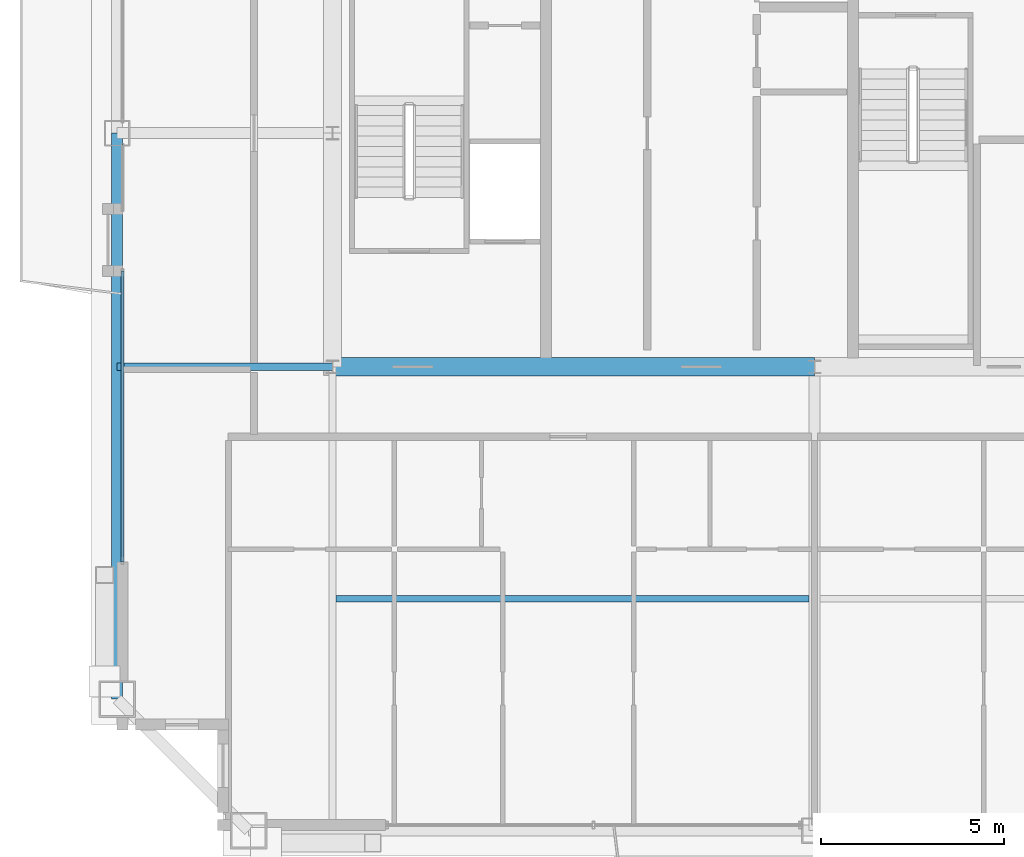
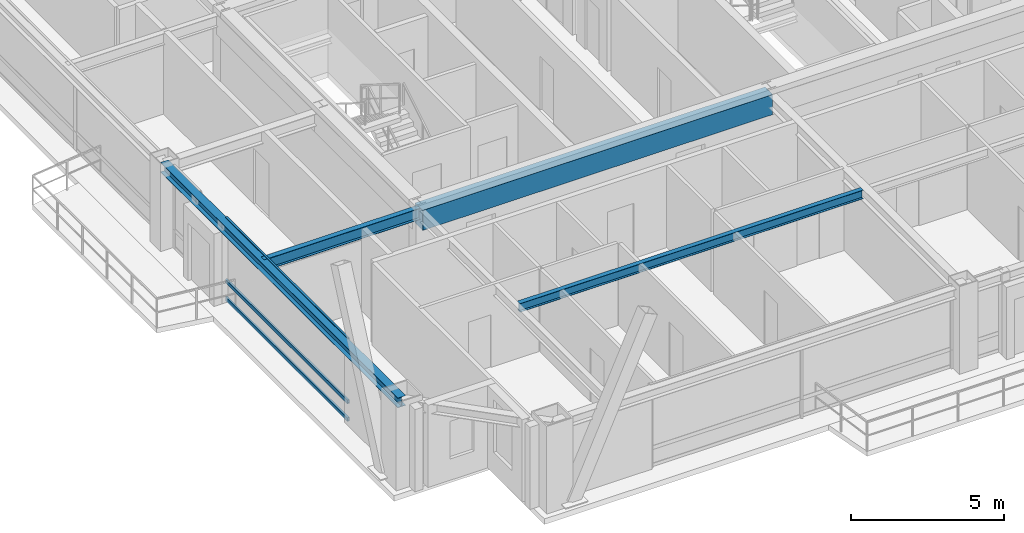
# One storey, part 6 of 33: 4 beams, 3 members, 1 element without a shape of its own.
"""IFC4 building model written with IfcOpenShell, lengths in metres."""

from ifc_helpers import new_model, si_unit, direction, frame, origin, origin_2d, place, context, subcontext, project, spatial, rectangle, hollow_rectangle, i_section, extrude, source, transform, mapped, material, layer, layer_set, material_profile, profile_set, type_object, element, aggregate, save


model = new_model("IFC4")

# Units and contexts
model_context = context("Model", 3, precision=1e-05, world=origin(), true_north=direction((0.0, 1.0)))
body_context = subcontext(model_context, "Body", "Model", "MODEL_VIEW")
ifc_project = project(units=[si_unit("LENGTHUNIT", "METRE"), si_unit("AREAUNIT", "SQUARE_METRE"), si_unit("VOLUMEUNIT", "CUBIC_METRE"), si_unit("PLANEANGLEUNIT", "RADIAN"), si_unit("MASSUNIT", "GRAM", prefix="KILO"), si_unit("THERMODYNAMICTEMPERATUREUNIT", "KELVIN"), si_unit("POWERUNIT", "WATT")], contexts=[model_context])

# Site, building, storey
site_placement = place(None, origin())
site = spatial("IfcSite", under=ifc_project, at=site_placement, CompositionType="ELEMENT")
building_placement = place(site_placement, origin())
building = spatial("IfcBuilding", under=site, at=building_placement, Name="Yuzanri Waterfront Tower", CompositionType="ELEMENT")
storey_placement = place(building_placement, frame((0.0, 0.0, 321.699951171875)))
storey = spatial("IfcBuildingStorey", under=building, at=storey_placement, Name="L86", CompositionType="ELEMENT", Elevation=321.699951171875)

# Beams
ifc_material_1 = material(Name="Concrete C50", Category="concrete")
ifc_material_profile_1 = material_profile(ifc_material_1, rectangle(XDim=0.5, YDim=0.800048828125, at=origin_2d()), Name="RC 500x800")
ifc_profile_set_1 = profile_set([ifc_material_profile_1], Name="Concrete C50")
beam_type_1 = type_object("IfcBeamType", Name="Core Coupling Lintel Concrete C50 500x800", PredefinedType="LINTEL", material=ifc_profile_set_1)
shared_shape_1 = source(origin(), body_context, "Body", "SweptSolid", [
    extrude(rectangle(XDim=0.5, YDim=0.800048828125, at=origin_2d()), origin(), (0.0, 0.0, 1.0), 13.199951171875),
])
beam_1_placement = place(storey_placement, frame((23.800048828125, 19.39990234375, 2.880126953125), z_axis=(1.0, 0.0, 0.0), x_axis=(0.0, 1.0, 0.0)))
element("IfcBeam", 1, at=beam_1_placement, inside=storey, type_object=beam_type_1, Name="L86 Core Tie Beam CS1", PredefinedType="LINTEL", context=body_context, shape_type="MappedRepresentation", body=[
    mapped(shared_shape_1, transform((0.0, 0.0, 0.0), scale=1.0)),
])
ifc_material_2 = material(Name="Steel Q355B", Category="steel")
ifc_material_profile_2 = material_profile(ifc_material_2, i_section(OverallWidth=0.175048828125, OverallDepth=0.35009765625, WebThickness=0.007080078125, FlangeThickness=0.010986328125, at=origin_2d()), Name="HN 350x175x7x11")
ifc_profile_set_2 = profile_set([ifc_material_profile_2], Name="Steel Q355B")
beam_type_2 = type_object("IfcBeamType", Name="Floor Joist Q355B HN 350x175", PredefinedType="JOIST", material=ifc_profile_set_2)
shared_shape_2 = source(origin(), body_context, "Body", "SweptSolid", [
    extrude(i_section(OverallWidth=0.175048828125, OverallDepth=0.35009765625, WebThickness=0.007080078125, FlangeThickness=0.010986328125, at=origin_2d()), origin(), (0.0, 0.0, 1.0), 12.9501953125),
])
beam_2_placement = place(storey_placement, frame((23.89990234375, 13.050048828125, 3.10498046875), z_axis=(1.0, 0.0, 0.0), x_axis=(0.0, 1.0, 0.0)))
element("IfcBeam", 2, at=beam_2_placement, inside=storey, type_object=beam_type_2, Name="L86 South Bay Joist W", PredefinedType="JOIST", context=body_context, shape_type="MappedRepresentation", body=[
    mapped(shared_shape_2, transform((0.0, 0.0, 0.0), scale=1.0)),
])
ifc_material_3 = material(Name="Steel Q355B", Category="steel")
ifc_material_profile_3 = material_profile(ifc_material_3, i_section(OverallWidth=0.300048828125, OverallDepth=0.389892578125, WebThickness=0.010009765625, FlangeThickness=0.01611328125, at=origin_2d()), Name="HM 390x300x10x16")
ifc_profile_set_3 = profile_set([ifc_material_profile_3], Name="Steel Q355B")
beam_type_3 = type_object("IfcBeamType", Name="Perimeter Spandrel Q355B HM 390x300", PredefinedType="SPANDREL", material=ifc_profile_set_3)
shared_shape_3 = source(origin(), body_context, "Body", "SweptSolid", [
    extrude(i_section(OverallWidth=0.300048828125, OverallDepth=0.389892578125, WebThickness=0.010009765625, FlangeThickness=0.01611328125, at=origin_2d()), origin(), (0.0, 0.0, 1.0), 15.5),
])
beam_3_placement = place(storey_placement, frame((17.89990234375, 25.800048828125, 3.0849609375), z_axis=(0.0, -1.0, 0.0), x_axis=(1.0, 0.0, 0.0)))
element("IfcBeam", 3, at=beam_3_placement, inside=storey, type_object=beam_type_3, Name="L86 Perimeter Spandrel W2-W1", PredefinedType="SPANDREL", context=body_context, shape_type="MappedRepresentation", body=[
    mapped(shared_shape_3, transform((0.0, 0.0, 0.0), scale=1.0)),
])
ifc_material_4 = material(Name="Steel Q355B", Category="steel")
ifc_material_profile_4 = material_profile(ifc_material_4, i_section(OverallWidth=0.199951171875, OverallDepth=0.449951171875, WebThickness=0.009033203125, FlangeThickness=0.013916015625, at=origin_2d()), Name="HN 450x200x9x14")
ifc_profile_set_4 = profile_set([ifc_material_profile_4], Name="Steel Q355B")
beam_type_4 = type_object("IfcBeamType", Name="Secondary Floor Beam Q355B HN 450x200", PredefinedType="BEAM", material=ifc_profile_set_4)
shared_shape_4 = source(origin(), body_context, "Body", "SweptSolid", [
    extrude(i_section(OverallWidth=0.199951171875, OverallDepth=0.449951171875, WebThickness=0.009033203125, FlangeThickness=0.013916015625, at=origin_2d()), origin(), (0.0, 0.0, 1.0), 5.900146484375),
])
beam_4_placement = place(storey_placement, frame((23.800048828125, 19.39990234375, 3.054931640625), z_axis=(-1.0, 0.0, 0.0), x_axis=(0.0, -1.0, 0.0)))
element("IfcBeam", 4, at=beam_4_placement, inside=storey, type_object=beam_type_4, Name="L86 West-South Core Line Beam", PredefinedType="BEAM", context=body_context, shape_type="MappedRepresentation", body=[
    mapped(shared_shape_4, transform((0.0, 0.0, 0.0), scale=1.0)),
])

# Curtain wall, members
ifc_material_5 = material(Name="Anodized Architectural Bronze", Category="metal")
ifc_layer = layer(ifc_material_5, 0.159912109375)
ifc_layer_set = layer_set([ifc_layer], Name="Anodized Architectural Bronze")
curtain_wall_type = type_object("IfcCurtainWallType", Name="Anodized Bronze High-Rise Penthouse High-Wind Unitized Curtain Wall 6900", PredefinedType="NOTDEFINED", material=ifc_layer_set)
curtain_wall_placement = place(storey_placement, origin())
curtain_wall = element("IfcCurtainWall", 5, at=curtain_wall_placement, inside=storey, type_object=curtain_wall_type, Name="L86 Curtain Wall CW-L86-WL1", PredefinedType="NOTDEFINED")
ifc_material_6 = material(Name="Anodized Architectural Bronze", Category="metal")
ifc_material_profile_5 = material_profile(ifc_material_6, hollow_rectangle(XDim=0.074951171875, YDim=0.14990234375, WallThickness=0.00390625, at=origin_2d()), Name="CWT 75x150")
ifc_profile_set_5 = profile_set([ifc_material_profile_5], Name="Anodized Architectural Bronze")
member_type = type_object("IfcMemberType", Name="Anodized Bronze Primary Curtain-Wall Transom 75x150", PredefinedType="USERDEFINED", material=ifc_profile_set_5)
shared_shape_5 = source(origin(), body_context, "Body", "SweptSolid", [
    extrude(hollow_rectangle(XDim=0.074951171875, YDim=0.14990234375, WallThickness=0.00390625, at=origin_2d()), origin(), (0.0, 0.0, 1.0), 7.974853515625),
])
member_1_placement = place(storey_placement, frame((18.050048828125, 14.050048828125, 0.050048828125), z_axis=(0.0, 1.0, 0.0), x_axis=(-1.0, 0.0, 0.0)))
member_1 = element("IfcMember", 6, at=member_1_placement, type_object=member_type, Name="CW-L86-WL1 Transom 1", ObjectType="TRANSOM", PredefinedType="USERDEFINED", context=body_context, shape_type="MappedRepresentation", body=[
    mapped(shared_shape_5, transform((0.0, 0.0, 0.0), scale=1.0)),
])
member_2_placement = place(storey_placement, frame((18.050048828125, 14.050048828125, 0.754150390625), z_axis=(0.0, 1.0, 0.0), x_axis=(-1.0, 0.0, 0.0)))
member_2 = element("IfcMember", 7, at=member_2_placement, type_object=member_type, Name="CW-L86-WL1 Transom 2", ObjectType="TRANSOM", PredefinedType="USERDEFINED", context=body_context, shape_type="MappedRepresentation", body=[
    mapped(shared_shape_5, transform((0.0, 0.0, 0.0), scale=1.0)),
])
member_3_placement = place(storey_placement, frame((18.050048828125, 14.050048828125, 3.22998046875), z_axis=(0.0, 1.0, 0.0), x_axis=(-1.0, 0.0, 0.0)))
member_3 = element("IfcMember", 8, at=member_3_placement, type_object=member_type, Name="CW-L86-WL1 Transom 3", ObjectType="TRANSOM", PredefinedType="USERDEFINED", context=body_context, shape_type="MappedRepresentation", body=[
    mapped(shared_shape_5, transform((0.0, 0.0, 0.0), scale=1.0)),
])
aggregate(curtain_wall, [member_1, member_2, member_3])

save(model, "model.ifc")
